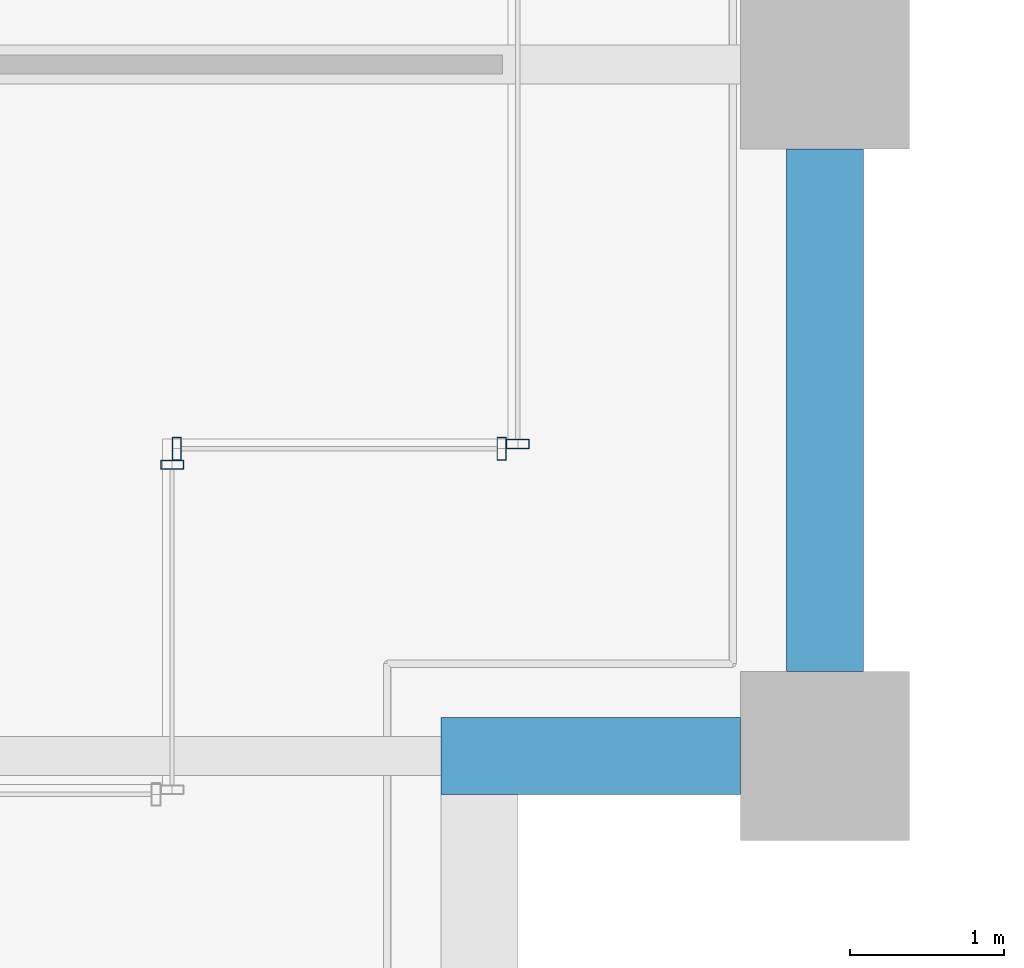
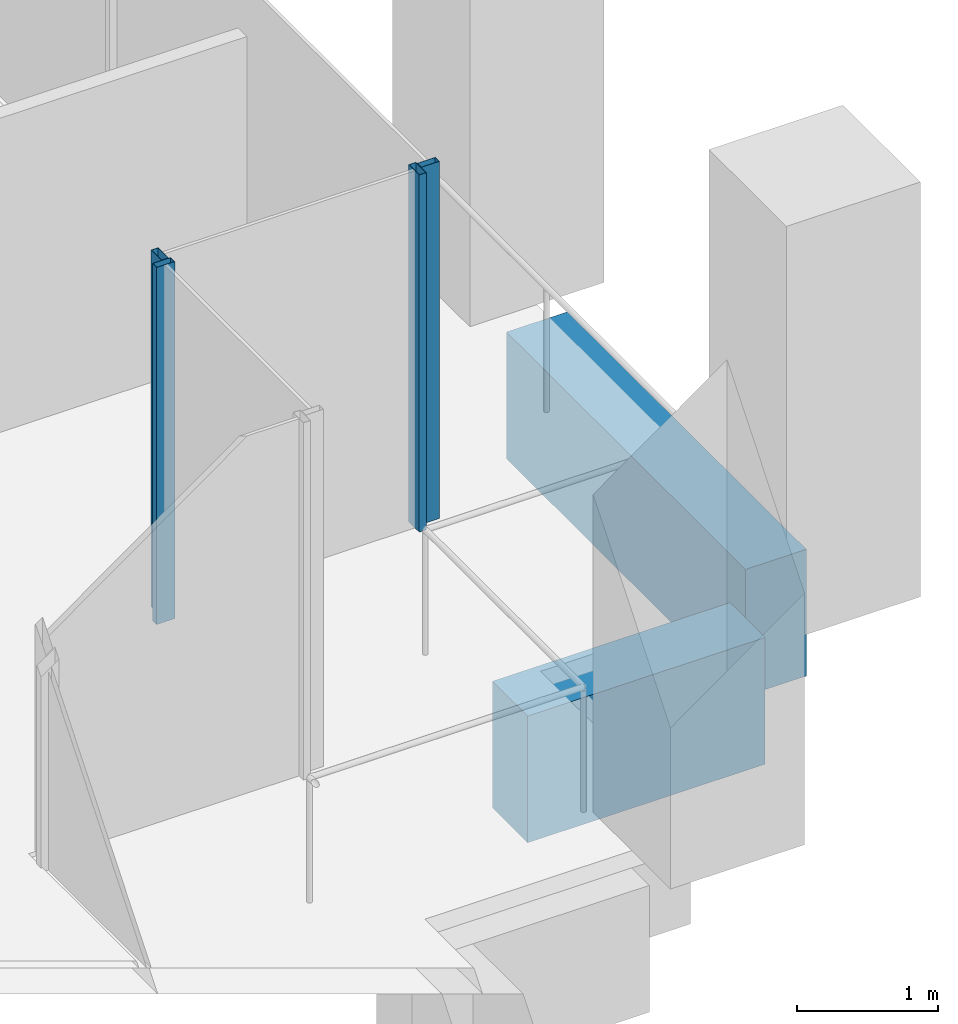
# One storey, part 16 of 56: 4 members, 2 beams, 3 elements without a shape of their own.
"""IFC4 building model written with IfcOpenShell, lengths in metres."""

from ifc_helpers import new_model, si_unit, direction, frame, origin, origin_2d, place, context, subcontext, project, spatial, rectangle, hollow_rectangle, extrude, material, material_profile, profile_set, type_object, element, aggregate, save


model = new_model("IFC4")

# Units and contexts
model_context = context("Model", 3, precision=1e-05, world=origin(), true_north=direction((0.0, 1.0)))
body_context = subcontext(model_context, "Body", "Model", "MODEL_VIEW")
ifc_project = project(units=[si_unit("LENGTHUNIT", "METRE"), si_unit("AREAUNIT", "SQUARE_METRE"), si_unit("VOLUMEUNIT", "CUBIC_METRE"), si_unit("PLANEANGLEUNIT", "RADIAN"), si_unit("MASSUNIT", "GRAM", prefix="KILO")], contexts=[model_context])

# Site, building, storey
site_placement = place(None, origin())
site = spatial("IfcSite", under=ifc_project, at=site_placement, CompositionType="ELEMENT")
building_placement = place(site_placement, origin())
building = spatial("IfcBuilding", under=site, at=building_placement, Name="Altepetl Exchange Towers", CompositionType="ELEMENT")
storey_placement = place(building_placement, frame((0.0, 0.0, 76.199951171875)))
storey = spatial("IfcBuildingStorey", under=building, at=storey_placement, Name="L18", CompositionType="ELEMENT", Elevation=76.199951171875)

# Curtain wall, member
ifc_material_1 = material(Name="Aluminium 6063-T6 glazing", Category="aluminium")
curtain_wall_type = type_object("IfcCurtainWallType", Name="Loggia glazing system", PredefinedType="NOTDEFINED", material=ifc_material_1)
curtain_wall_1_placement = place(storey_placement, origin())
curtain_wall_1 = element("IfcCurtainWall", 1, at=curtain_wall_1_placement, inside=storey, type_object=curtain_wall_type, Name="CW1 run", PredefinedType="NOTDEFINED")
ifc_material_2 = material(Name="Aluminium 6063-T6", Category="aluminium")
ifc_material_profile_1 = material_profile(ifc_material_2, hollow_rectangle(XDim=0.06005859375, YDim=0.14990234375, WallThickness=0.0029296875, at=origin_2d()), Name="Mullion 60x150 aluminium")
ifc_profile_set_1 = profile_set([ifc_material_profile_1], Name="Aluminium 6063-T6")
member_type = type_object("IfcMemberType", Name="Mullion 60x150 aluminium", PredefinedType="MULLION", material=ifc_profile_set_1)
member_1_placement = place(storey_placement, frame((67.75, 33.39501953125, 0.0), z_axis=(0.0, 0.0, 1.0), x_axis=(0.0, 1.0, 0.0)))
member_1 = element("IfcMember", 2, at=member_1_placement, type_object=member_type, Name="MU1 mullion", PredefinedType="MULLION", context=body_context, shape_type="SweptSolid", body=[
    extrude(hollow_rectangle(XDim=0.06005859375, YDim=0.14990234375, WallThickness=0.0029296875, at=origin_2d()), origin(), (0.0, 0.0, 1.0), 3.10009765625),
])
aggregate(curtain_wall_1, [member_1])

# Curtain wall, members
curtain_wall_2_placement = place(storey_placement, origin())
curtain_wall_2 = element("IfcCurtainWall", 3, at=curtain_wall_2_placement, inside=storey, type_object=curtain_wall_type, Name="CW1 run", PredefinedType="NOTDEFINED")
member_2_placement = place(storey_placement, frame((67.780029296875, 33.5, 0.0)))
member_2 = element("IfcMember", 4, at=member_2_placement, type_object=member_type, Name="MU1 mullion", PredefinedType="MULLION", context=body_context, shape_type="SweptSolid", body=[
    extrude(hollow_rectangle(XDim=0.06005859375, YDim=0.14990234375, WallThickness=0.0029296875, at=origin_2d()), origin(), (0.0, 0.0, 1.0), 3.10009765625),
])
member_3_placement = place(storey_placement, frame((69.89501953125, 33.5, 0.0)))
member_3 = element("IfcMember", 5, at=member_3_placement, type_object=member_type, Name="MU1 mullion", PredefinedType="MULLION", context=body_context, shape_type="SweptSolid", body=[
    extrude(hollow_rectangle(XDim=0.06005859375, YDim=0.14990234375, WallThickness=0.0029296875, at=origin_2d()), origin(), (0.0, 0.0, 1.0), 3.10009765625),
])
aggregate(curtain_wall_2, [member_2, member_3])

# Curtain wall, member
curtain_wall_3_placement = place(storey_placement, origin())
curtain_wall_3 = element("IfcCurtainWall", 6, at=curtain_wall_3_placement, inside=storey, type_object=curtain_wall_type, Name="CW1 run", PredefinedType="NOTDEFINED")
member_4_placement = place(storey_placement, frame((70.0, 33.530029296875, 0.0), z_axis=(0.0, 0.0, 1.0), x_axis=(0.0, 1.0, 0.0)))
member_4 = element("IfcMember", 7, at=member_4_placement, type_object=member_type, Name="MU1 mullion", PredefinedType="MULLION", context=body_context, shape_type="SweptSolid", body=[
    extrude(hollow_rectangle(XDim=0.06005859375, YDim=0.14990234375, WallThickness=0.0029296875, at=origin_2d()), origin(), (0.0, 0.0, 1.0), 3.10009765625),
])
aggregate(curtain_wall_3, [member_4])

# Beams
ifc_material_3 = material(Name="Concrete C50/60 precast with cantera amarilla facing", Category="concrete")
ifc_material_profile_2 = material_profile(ifc_material_3, rectangle(XDim=0.5, YDim=1.10009765625, at=origin_2d()), Name="500 x 1100")
ifc_profile_set_2 = profile_set([ifc_material_profile_2], Name="Concrete C50/60 precast with cantera amarilla facing")
beam_type = type_object("IfcBeamType", Name="Spandrel beam 500x1100 cantera amarilla", PredefinedType="SPANDREL", material=ifc_profile_set_2)
beam_1_placement = place(storey_placement, frame((69.5, 31.5, -0.699951171875), z_axis=(1.0, 0.0, 0.0), x_axis=(0.0, 1.0, 0.0)))
element("IfcBeam", 8, at=beam_1_placement, inside=storey, type_object=beam_type, Name="sp:A:L18:011", PredefinedType="SPANDREL", context=body_context, shape_type="SweptSolid", body=[
    extrude(rectangle(XDim=0.5, YDim=1.10009765625, at=origin_2d()), origin(), (0.0, 0.0, 1.0), 1.949951171875),
])
beam_2_placement = place(storey_placement, frame((72.0, 32.050048828125, -0.699951171875), z_axis=(0.0, 1.0, 0.0), x_axis=(-1.0, 0.0, 0.0)))
element("IfcBeam", 9, at=beam_2_placement, inside=storey, type_object=beam_type, Name="sp:A:L18:012", PredefinedType="SPANDREL", context=body_context, shape_type="SweptSolid", body=[
    extrude(rectangle(XDim=0.5, YDim=1.10009765625, at=origin_2d()), origin(), (0.0, 0.0, 1.0), 3.39990234375),
])

save(model, "model.ifc")
